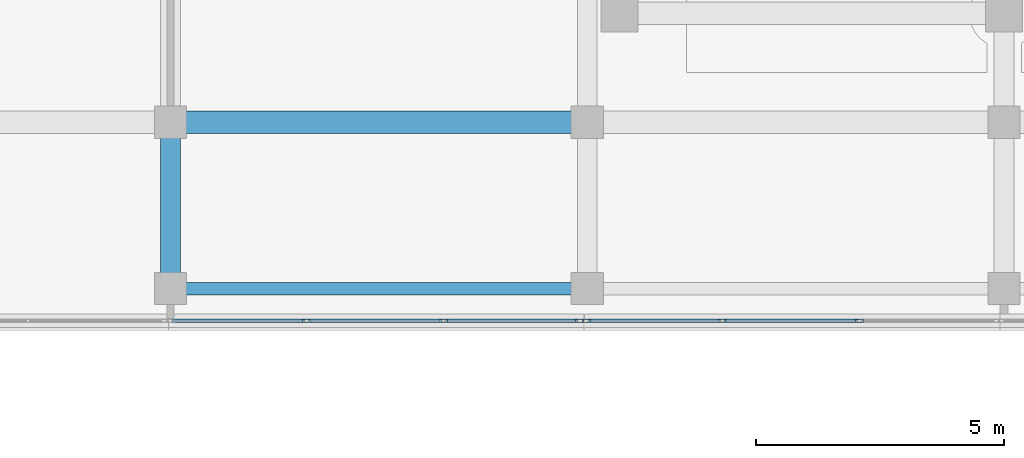
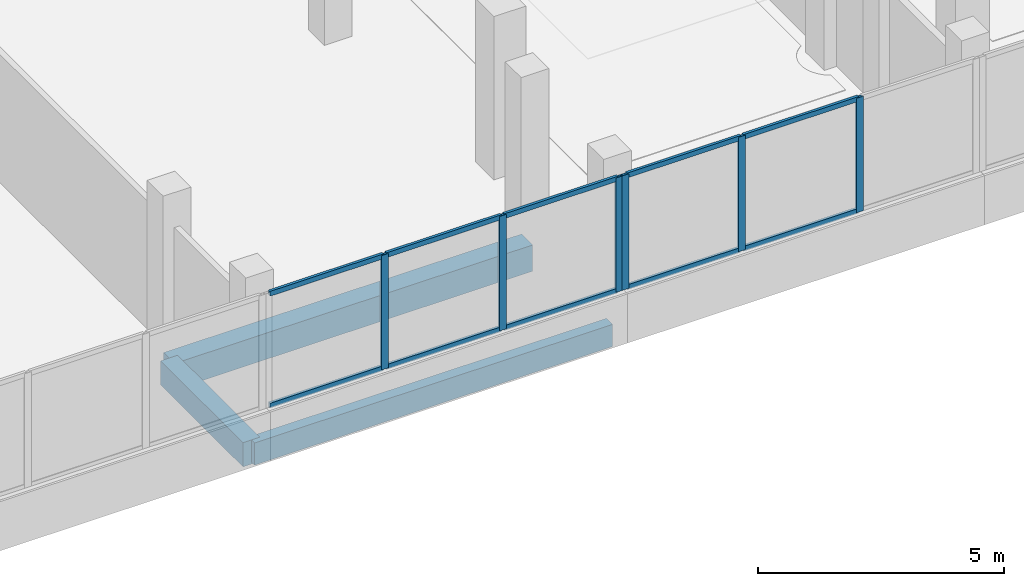
# One storey, part 6 of 76: 16 members, 3 beams, 2 elements without a shape of their own.
"""IFC4 building model written with IfcOpenShell, lengths in metres."""

from ifc_helpers import new_model, si_unit, direction, frame, origin, origin_2d, place, context, subcontext, project, spatial, rectangle, hollow_rectangle, extrude, material, material_profile, profile_set, type_object, element, aggregate, save


model = new_model("IFC4")

# Units and contexts
model_context = context("Model", 3, precision=1e-05, world=origin(), true_north=direction((0.0, 1.0)))
body_context = subcontext(model_context, "Body", "Model", "MODEL_VIEW")
ifc_project = project(units=[si_unit("LENGTHUNIT", "METRE"), si_unit("AREAUNIT", "SQUARE_METRE"), si_unit("VOLUMEUNIT", "CUBIC_METRE"), si_unit("PLANEANGLEUNIT", "RADIAN"), si_unit("MASSUNIT", "GRAM", prefix="KILO")], contexts=[model_context])

# Site, building, storey
site_placement = place(None, origin())
site = spatial("IfcSite", under=ifc_project, at=site_placement, CompositionType="ELEMENT")
building_placement = place(site_placement, origin())
building = spatial("IfcBuilding", under=site, at=building_placement, Name="Selatvlak General Hospital", CompositionType="ELEMENT")
storey_placement = place(building_placement, frame((0.0, 0.0, 27.300048828125)))
storey = spatial("IfcBuildingStorey", under=building, at=storey_placement, Name="L06", CompositionType="ELEMENT", Elevation=27.300048828125)

# Beams
ifc_material_1 = material(Name="Concrete C40/50", Category="concrete")
ifc_material_profile_1 = material_profile(ifc_material_1, rectangle(XDim=0.449951171875, YDim=0.64990234375, at=origin_2d()), Name="RC-BM 450x650")
ifc_profile_set_1 = profile_set([ifc_material_profile_1], Name="Concrete C40/50")
beam_type_1 = type_object("IfcBeamType", Name="BM-G04", PredefinedType="BEAM", material=ifc_profile_set_1)
beam_1_placement = place(storey_placement, frame((39.60009765625, 92.0, -0.60009765625), z_axis=(1.0, 0.0, 0.0), x_axis=(0.0, 1.0, 0.0)))
element("IfcBeam", 1, at=beam_1_placement, inside=storey, type_object=beam_type_1, Name="Beam BMR-L06-2164", PredefinedType="BEAM", context=body_context, shape_type="SweptSolid", body=[
    extrude(rectangle(XDim=0.449951171875, YDim=0.64990234375, at=origin_2d()), origin(), (0.0, 0.0, 1.0), 8.39990234375),
])
ifc_material_profile_2 = material_profile(ifc_material_1, rectangle(XDim=0.39990234375, YDim=0.60009765625, at=origin_2d()), Name="RC-BM 400x600")
ifc_profile_set_2 = profile_set([ifc_material_profile_2], Name="Concrete C40/50")
beam_type_2 = type_object("IfcBeamType", Name="BM-G05", PredefinedType="BEAM", material=ifc_profile_set_2)
beam_2_placement = place(storey_placement, frame((39.60009765625, 88.64990234375, -0.574951171875), z_axis=(0.0, 1.0, 0.0), x_axis=(-1.0, 0.0, 0.0)))
element("IfcBeam", 2, at=beam_2_placement, inside=storey, type_object=beam_type_2, Name="Beam BMR-L06-2250", PredefinedType="BEAM", context=body_context, shape_type="SweptSolid", body=[
    extrude(rectangle(XDim=0.39990234375, YDim=0.60009765625, at=origin_2d()), origin(), (0.0, 0.0, 1.0), 3.35009765625),
])
ifc_material_profile_3 = material_profile(ifc_material_1, rectangle(XDim=0.25, YDim=0.550048828125, at=origin_2d()), Name="RC-SP 250x550")
ifc_profile_set_3 = profile_set([ifc_material_profile_3], Name="Concrete C40/50")
beam_type_3 = type_object("IfcBeamType", Name="BM-SP2", PredefinedType="SPANDREL", material=ifc_profile_set_3)
beam_3_placement = place(storey_placement, frame((39.60009765625, 88.64990234375, -0.550048828125), z_axis=(1.0, 0.0, 0.0), x_axis=(0.0, 1.0, 0.0)))
element("IfcBeam", 3, at=beam_3_placement, inside=storey, type_object=beam_type_3, Name="Beam BMR-L06-2145", PredefinedType="SPANDREL", context=body_context, shape_type="SweptSolid", body=[
    extrude(rectangle(XDim=0.25, YDim=0.550048828125, at=origin_2d()), origin(), (0.0, 0.0, 1.0), 8.39990234375),
])

# Curtain wall, members
ifc_material_2 = material(Name="Solar-control Low-E double glazing", Category="glass")
curtain_wall_type_1 = type_object("IfcCurtainWallType", Name="CW-CW-01", PredefinedType="USERDEFINED", material=ifc_material_2)
curtain_wall_1_placement = place(storey_placement, origin())
curtain_wall_1 = element("IfcCurtainWall", 4, at=curtain_wall_1_placement, inside=storey, type_object=curtain_wall_type_1, Name="Glazed facade curtain wall CW-L06-0635", ObjectType="UNITISED CURTAIN WALL", PredefinedType="USERDEFINED")
ifc_material_3 = material(Name="Dark anodised aluminium mullion", Category="aluminium")
ifc_material_profile_4 = material_profile(ifc_material_3, hollow_rectangle(XDim=0.06494140625, YDim=0.159912109375, WallThickness=0.00390625, at=origin_2d()), Name="AL-MUL 65x160x4")
ifc_profile_set_4 = profile_set([ifc_material_profile_4], Name="Dark anodised aluminium mullion")
member_type_1 = type_object("IfcMemberType", Name="CWM-01", PredefinedType="MULLION", material=ifc_profile_set_4)
member_1_placement = place(storey_placement, frame((53.484619140625, 88.0, 0.93994140625), z_axis=(0.0, 0.0, 1.0), x_axis=(0.0, -1.0, 0.0)))
member_1 = element("IfcMember", 5, at=member_1_placement, type_object=member_type_1, Name="CW-01 mullion 2", PredefinedType="MULLION", context=body_context, shape_type="SweptSolid", body=[
    extrude(hollow_rectangle(XDim=0.06494140625, YDim=0.159912109375, WallThickness=0.00390625, at=origin_2d()), origin(), (0.0, 0.0, 1.0), 2.840087890625),
])
member_2_placement = place(storey_placement, frame((50.71826171875, 88.0, 0.93994140625), z_axis=(0.0, 0.0, 1.0), x_axis=(0.0, -1.0, 0.0)))
member_2 = element("IfcMember", 6, at=member_2_placement, type_object=member_type_1, Name="CW-01 mullion 3", PredefinedType="MULLION", context=body_context, shape_type="SweptSolid", body=[
    extrude(hollow_rectangle(XDim=0.06494140625, YDim=0.159912109375, WallThickness=0.00390625, at=origin_2d()), origin(), (0.0, 0.0, 1.0), 2.840087890625),
])
member_3_placement = place(storey_placement, frame((47.984619140625, 88.0, 0.93994140625), z_axis=(0.0, 0.0, 1.0), x_axis=(0.0, -1.0, 0.0)))
member_3 = element("IfcMember", 7, at=member_3_placement, type_object=member_type_1, Name="CW-01 mullion 4", PredefinedType="MULLION", context=body_context, shape_type="SweptSolid", body=[
    extrude(hollow_rectangle(XDim=0.06494140625, YDim=0.159912109375, WallThickness=0.00390625, at=origin_2d()), origin(), (0.0, 0.0, 1.0), 2.840087890625),
])

curtain_wall_type_2 = type_object("IfcCurtainWallType", Name="CW-CW-02", PredefinedType="USERDEFINED", material=ifc_material_2)
curtain_wall_2_placement = place(storey_placement, origin())
curtain_wall_2 = element("IfcCurtainWall", 8, at=curtain_wall_2_placement, inside=storey, type_object=curtain_wall_type_2, Name="Glazed facade curtain wall CW-L06-0636", ObjectType="UNITISED CURTAIN WALL", PredefinedType="USERDEFINED")
member_4_placement = place(storey_placement, frame((47.839599609375, 88.0, 0.93994140625), z_axis=(0.0, 0.0, 1.0), x_axis=(0.0, -1.0, 0.0)))
member_4 = element("IfcMember", 9, at=member_4_placement, type_object=member_type_1, Name="CW-02 mullion 1", PredefinedType="MULLION", context=body_context, shape_type="SweptSolid", body=[
    extrude(hollow_rectangle(XDim=0.06494140625, YDim=0.159912109375, WallThickness=0.00390625, at=origin_2d()), origin(), (0.0, 0.0, 1.0), 2.840087890625),
])
member_5_placement = place(storey_placement, frame((45.105712890625, 88.0, 0.93994140625), z_axis=(0.0, 0.0, 1.0), x_axis=(0.0, -1.0, 0.0)))
member_5 = element("IfcMember", 10, at=member_5_placement, type_object=member_type_1, Name="CW-02 mullion 2", PredefinedType="MULLION", context=body_context, shape_type="SweptSolid", body=[
    extrude(hollow_rectangle(XDim=0.06494140625, YDim=0.159912109375, WallThickness=0.00390625, at=origin_2d()), origin(), (0.0, 0.0, 1.0), 2.840087890625),
])
member_6_placement = place(storey_placement, frame((42.33935546875, 88.0, 0.93994140625), z_axis=(0.0, 0.0, 1.0), x_axis=(0.0, -1.0, 0.0)))
member_6 = element("IfcMember", 11, at=member_6_placement, type_object=member_type_1, Name="CW-02 mullion 3", PredefinedType="MULLION", context=body_context, shape_type="SweptSolid", body=[
    extrude(hollow_rectangle(XDim=0.06494140625, YDim=0.159912109375, WallThickness=0.00390625, at=origin_2d()), origin(), (0.0, 0.0, 1.0), 2.840087890625),
])

# Member
ifc_material_profile_5 = material_profile(ifc_material_3, hollow_rectangle(XDim=0.06494140625, YDim=0.1201171875, WallThickness=0.00390625, at=origin_2d()), Name="AL-TRN 65x120x4")
ifc_profile_set_5 = profile_set([ifc_material_profile_5], Name="Dark anodised aluminium mullion")
member_type_2 = type_object("IfcMemberType", Name="CWT-01", PredefinedType="USERDEFINED", material=ifc_profile_set_5)
member_7_placement = place(storey_placement, frame((53.4521484375, 88.0, 0.972412109375), z_axis=(-1.0, 0.0, 0.0), x_axis=(0.0, -1.0, 0.0)))
member_7 = element("IfcMember", 12, at=member_7_placement, type_object=member_type_2, Name="CW-01 transom 2.1", ObjectType="TRANSOM", PredefinedType="USERDEFINED", context=body_context, shape_type="SweptSolid", body=[
    extrude(hollow_rectangle(XDim=0.06494140625, YDim=0.1201171875, WallThickness=0.00390625, at=origin_2d()), origin(), (0.0, 0.0, 1.0), 2.701416015625),
])

member_8_placement = place(storey_placement, frame((53.4521484375, 88.0, 3.74755859375), z_axis=(-1.0, 0.0, 0.0), x_axis=(0.0, -1.0, 0.0)))
member_8 = element("IfcMember", 13, at=member_8_placement, type_object=member_type_2, Name="CW-01 transom 2.2", ObjectType="TRANSOM", PredefinedType="USERDEFINED", context=body_context, shape_type="SweptSolid", body=[
    extrude(hollow_rectangle(XDim=0.06494140625, YDim=0.1201171875, WallThickness=0.00390625, at=origin_2d()), origin(), (0.0, 0.0, 1.0), 2.701416015625),
])

member_9_placement = place(storey_placement, frame((50.685791015625, 88.0, 0.972412109375), z_axis=(-1.0, 0.0, 0.0), x_axis=(0.0, -1.0, 0.0)))
member_9 = element("IfcMember", 14, at=member_9_placement, type_object=member_type_2, Name="CW-01 transom 3.1", ObjectType="TRANSOM", PredefinedType="USERDEFINED", context=body_context, shape_type="SweptSolid", body=[
    extrude(hollow_rectangle(XDim=0.06494140625, YDim=0.1201171875, WallThickness=0.00390625, at=origin_2d()), origin(), (0.0, 0.0, 1.0), 2.668701171875),
])

member_10_placement = place(storey_placement, frame((50.685791015625, 88.0, 3.74755859375), z_axis=(-1.0, 0.0, 0.0), x_axis=(0.0, -1.0, 0.0)))
member_10 = element("IfcMember", 15, at=member_10_placement, type_object=member_type_2, Name="CW-01 transom 3.2", ObjectType="TRANSOM", PredefinedType="USERDEFINED", context=body_context, shape_type="SweptSolid", body=[
    extrude(hollow_rectangle(XDim=0.06494140625, YDim=0.1201171875, WallThickness=0.00390625, at=origin_2d()), origin(), (0.0, 0.0, 1.0), 2.668701171875),
])

aggregate(curtain_wall_1, [member_1, member_2, member_3, member_7, member_8, member_9, member_10])

member_11_placement = place(storey_placement, frame((47.806884765625, 88.0, 0.972412109375), z_axis=(-1.0, 0.0, 0.0), x_axis=(0.0, -1.0, 0.0)))
member_11 = element("IfcMember", 16, at=member_11_placement, type_object=member_type_2, Name="CW-02 transom 1.1", ObjectType="TRANSOM", PredefinedType="USERDEFINED", context=body_context, shape_type="SweptSolid", body=[
    extrude(hollow_rectangle(XDim=0.06494140625, YDim=0.1201171875, WallThickness=0.00390625, at=origin_2d()), origin(), (0.0, 0.0, 1.0), 2.668701171875),
])

member_12_placement = place(storey_placement, frame((47.806884765625, 88.0, 3.74755859375), z_axis=(-1.0, 0.0, 0.0), x_axis=(0.0, -1.0, 0.0)))
member_12 = element("IfcMember", 17, at=member_12_placement, type_object=member_type_2, Name="CW-02 transom 1.2", ObjectType="TRANSOM", PredefinedType="USERDEFINED", context=body_context, shape_type="SweptSolid", body=[
    extrude(hollow_rectangle(XDim=0.06494140625, YDim=0.1201171875, WallThickness=0.00390625, at=origin_2d()), origin(), (0.0, 0.0, 1.0), 2.668701171875),
])

member_13_placement = place(storey_placement, frame((45.0732421875, 88.0, 0.972412109375), z_axis=(-1.0, 0.0, 0.0), x_axis=(0.0, -1.0, 0.0)))
member_13 = element("IfcMember", 18, at=member_13_placement, type_object=member_type_2, Name="CW-02 transom 2.1", ObjectType="TRANSOM", PredefinedType="USERDEFINED", context=body_context, shape_type="SweptSolid", body=[
    extrude(hollow_rectangle(XDim=0.06494140625, YDim=0.1201171875, WallThickness=0.00390625, at=origin_2d()), origin(), (0.0, 0.0, 1.0), 2.701416015625),
])

member_14_placement = place(storey_placement, frame((45.0732421875, 88.0, 3.74755859375), z_axis=(-1.0, 0.0, 0.0), x_axis=(0.0, -1.0, 0.0)))
member_14 = element("IfcMember", 19, at=member_14_placement, type_object=member_type_2, Name="CW-02 transom 2.2", ObjectType="TRANSOM", PredefinedType="USERDEFINED", context=body_context, shape_type="SweptSolid", body=[
    extrude(hollow_rectangle(XDim=0.06494140625, YDim=0.1201171875, WallThickness=0.00390625, at=origin_2d()), origin(), (0.0, 0.0, 1.0), 2.701416015625),
])

member_15_placement = place(storey_placement, frame((42.306884765625, 88.0, 0.972412109375), z_axis=(-1.0, 0.0, 0.0), x_axis=(0.0, -1.0, 0.0)))
member_15 = element("IfcMember", 20, at=member_15_placement, type_object=member_type_2, Name="CW-02 transom 3.1", ObjectType="TRANSOM", PredefinedType="USERDEFINED", context=body_context, shape_type="SweptSolid", body=[
    extrude(hollow_rectangle(XDim=0.06494140625, YDim=0.1201171875, WallThickness=0.00390625, at=origin_2d()), origin(), (0.0, 0.0, 1.0), 2.6689453125),
])

member_16_placement = place(storey_placement, frame((42.306884765625, 88.0, 3.74755859375), z_axis=(-1.0, 0.0, 0.0), x_axis=(0.0, -1.0, 0.0)))
member_16 = element("IfcMember", 21, at=member_16_placement, type_object=member_type_2, Name="CW-02 transom 3.2", ObjectType="TRANSOM", PredefinedType="USERDEFINED", context=body_context, shape_type="SweptSolid", body=[
    extrude(hollow_rectangle(XDim=0.06494140625, YDim=0.1201171875, WallThickness=0.00390625, at=origin_2d()), origin(), (0.0, 0.0, 1.0), 2.6689453125),
])

aggregate(curtain_wall_2, [member_4, member_5, member_6, member_11, member_12, member_13, member_14, member_15, member_16])

save(model, "model.ifc")
